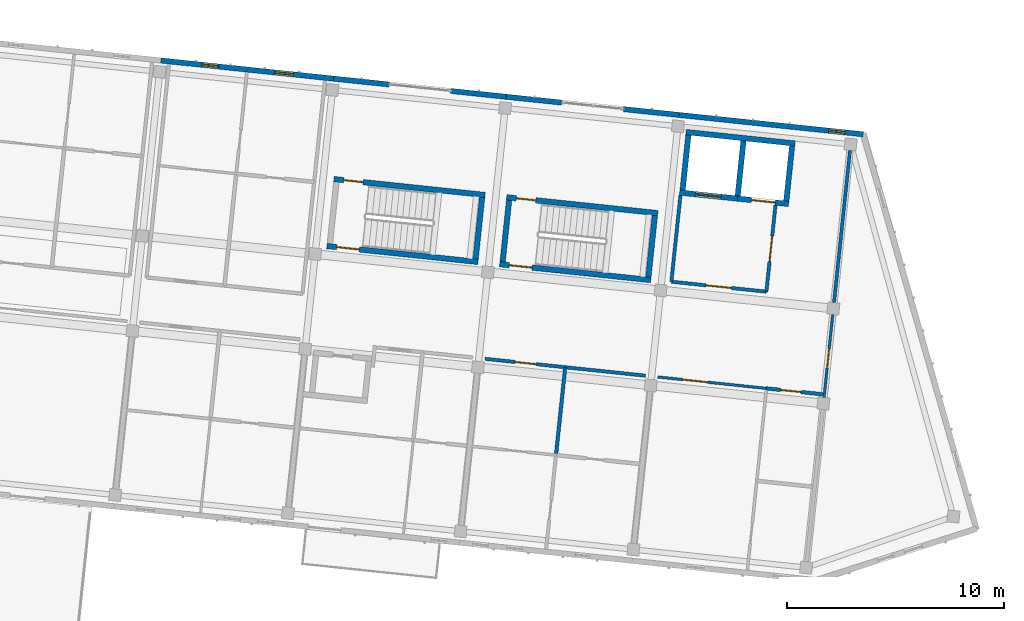
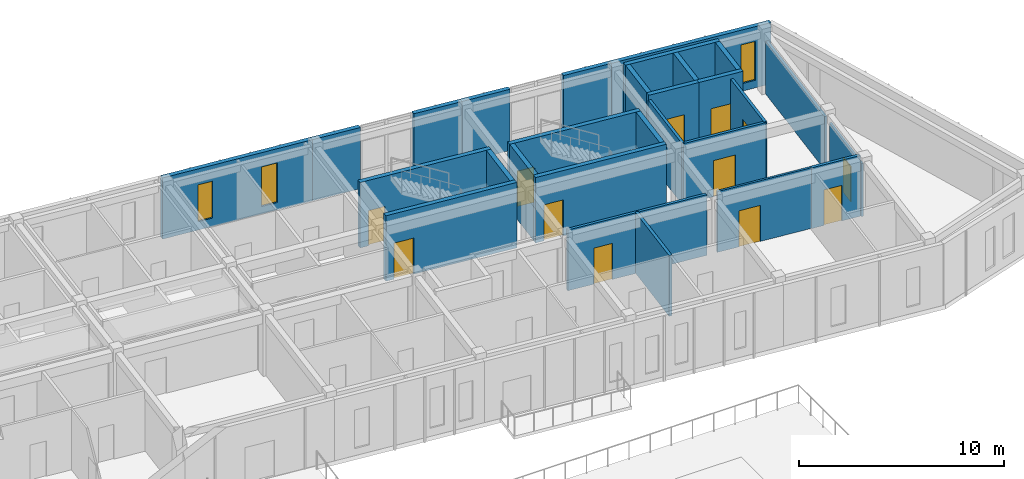
# One storey, part 104 of 150: 28 walls, 12 doors, 3 windows, 15 openings.
"""IFC4 building model written with IfcOpenShell, lengths in metres."""

from ifc_helpers import new_model, si_unit, direction, frame, frame_2d, origin, place, context, subcontext, project, spatial, rectangle, extrude, material, layer, layer_set, type_object, element, fill, save


model = new_model("IFC4")

# Units and contexts
model_context = context("Model", 3, precision=1e-05, world=origin(), true_north=direction((0.0, 1.0)))
body_context = subcontext(model_context, "Body", "Model", "MODEL_VIEW")
ifc_project = project(units=[si_unit("LENGTHUNIT", "METRE"), si_unit("AREAUNIT", "SQUARE_METRE"), si_unit("VOLUMEUNIT", "CUBIC_METRE"), si_unit("PLANEANGLEUNIT", "RADIAN"), si_unit("MASSUNIT", "GRAM", prefix="KILO")], contexts=[model_context])

# Site, building, storey
site_placement = place(None, origin())
site = spatial("IfcSite", under=ifc_project, at=site_placement, CompositionType="ELEMENT")
building_placement = place(site_placement, origin())
building = spatial("IfcBuilding", under=site, at=building_placement, Name="Kestramere Prow Commons", CompositionType="ELEMENT")
storey_placement = place(building_placement, frame((0.0, 0.0, 4.5)))
storey = spatial("IfcBuildingStorey", under=building, at=storey_placement, Name="L01", CompositionType="ELEMENT", Elevation=4.5)

# Wall, openings, windows
ifc_material_1 = material(Name="Fluoropolymer Standing-Seam Zinc-Aluminium Cladding", Category="aluminium")
ifc_layer_1 = layer(ifc_material_1, 0.239990234375)
ifc_layer_set_1 = layer_set([ifc_layer_1], Name="Fluoropolymer Standing-Seam Zinc-Aluminium Cladding")
wall_type_1 = type_object("IfcWallType", Name="EW-SEAM-240", PredefinedType="SOLIDWALL", material=ifc_layer_set_1)
wall_1_placement = place(storey_placement, frame((128.015869140625, 113.142333984375, 0.0), z_axis=(0.0, 0.0, 1.0), x_axis=(0.994522662826, -0.104521161134, 0.0)))
wall_1 = element("IfcWall", 1, at=wall_1_placement, inside=storey, type_object=wall_type_1, Name="Block B L01 North Standing-Seam Wall 3", PredefinedType="SOLIDWALL", context=body_context, shape_type="SweptSolid", body=[
    extrude(rectangle(XDim=8.0, YDim=0.239990234375, at=frame_2d((4.0, 0.0))), origin(), (0.0, 0.0, 1.0), 3.64990234375),
])
opening_1_placement = place(wall_1_placement, frame((1.894775390625, 0.0, 0.5)))
opening_1 = element("IfcOpeningElement", 2, at=opening_1_placement, cuts=wall_1, Name="Opening WN-11", PredefinedType="OPENING", context=body_context, shape_type="SweptSolid", body=[
    extrude(rectangle(XDim=0.780029296875, YDim=2.199951171875, at=frame_2d((0.39013671875, 1.10009765625))), frame((0.0, 0.135009765625, 0.0), z_axis=(0.0, -1.0, 0.0), x_axis=(1.0, 0.0, 0.0)), (0.0, 0.0, 1.0), 0.27001953125),
])
opening_2_placement = place(wall_1_placement, frame((5.27587890625, 0.0, 0.43994140625)))
opening_2 = element("IfcOpeningElement", 3, at=opening_2_placement, cuts=wall_1, Name="Opening WN-15", PredefinedType="OPENING", context=body_context, shape_type="SweptSolid", body=[
    extrude(rectangle(XDim=0.860107421875, YDim=2.360107421875, at=frame_2d((0.43017578125, 1.18017578125))), frame((0.0, 0.135009765625, 0.0), z_axis=(0.0, -1.0, 0.0), x_axis=(1.0, 0.0, 0.0)), (0.0, 0.0, 1.0), 0.27001953125),
])
ifc_material_2 = material(Name="Low-E Laminated Double Glazing", Category="glass")
window_type_1 = type_object("IfcWindowType", Name="WN-NAR-780A", PartitioningType="SINGLE_PANEL", PredefinedType="WINDOW", material=ifc_material_2)
window_1_placement = place(opening_1_placement, origin())
window_1 = element("IfcWindow", 4, at=window_1_placement, inside=storey, type_object=window_type_1, Name="WN-B-L01-N-2-0", OverallHeight=2.199951171875, OverallWidth=0.780029296875, PartitioningType="SINGLE_PANEL", PredefinedType="WINDOW", context=body_context, shape_type="SweptSolid", body=[
    extrude(rectangle(XDim=0.780029296875, YDim=2.199951171875, at=frame_2d((0.39013671875, 1.10009765625))), frame((0.0, 0.030029296875, 0.0), z_axis=(0.0, -1.0, 0.0), x_axis=(1.0, 0.0, 0.0)), (0.0, 0.0, 1.0), 0.06005859375),
])
fill(opening_1, window_1)
window_type_2 = type_object("IfcWindowType", Name="WN-NAR-860A", PartitioningType="DOUBLE_PANEL_VERTICAL", PredefinedType="WINDOW", material=ifc_material_2)
window_2_placement = place(opening_2_placement, origin())
window_2 = element("IfcWindow", 5, at=window_2_placement, inside=storey, type_object=window_type_2, Name="WN-B-L01-N-2-1", OverallHeight=2.360107421875, OverallWidth=0.860107421875, PartitioningType="SINGLE_PANEL", PredefinedType="WINDOW", context=body_context, shape_type="SweptSolid", body=[
    extrude(rectangle(XDim=0.860107421875, YDim=2.360107421875, at=frame_2d((0.43017578125, 1.18017578125))), frame((0.0, 0.030029296875, 0.0), z_axis=(0.0, -1.0, 0.0), x_axis=(1.0, 0.0, 0.0)), (0.0, 0.0, 1.0), 0.06005859375),
])
fill(opening_2, window_2)

# Walls
for number, where, z_axis, x_axis, name in (
    (6, (135.97216796875, 112.30615234375, 0.0), (0.0, 0.0, 1.0), (0.99451635776, -0.104581136677, 0.0), "Block B L01 North Standing-Seam Pier 4L"),
    (7, (141.367431640625, 111.739013671875, 0.0), (0.0, 0.0, 1.0), (0.99451635776, -0.104581136677, 0.0), "Block B L01 North Standing-Seam Pier 4R"),
):
    element("IfcWall", number, at=place(storey_placement, frame(where, z_axis=z_axis, x_axis=x_axis)), inside=storey, type_object=wall_type_1, Name=name, PredefinedType="SOLIDWALL", context=body_context, shape_type="SweptSolid", body=[
        extrude(rectangle(XDim=2.574951171875, YDim=0.239990234375, at=frame_2d((1.28759765625, 0.0))), origin(), (0.0, 0.0, 1.0), 3.64990234375),
    ])
wall_2_placement = place(storey_placement, frame((143.92822265625, 111.4697265625, 0.0), z_axis=(0.0, 0.0, 1.0), x_axis=(0.994527249958, -0.104477505191, 0.0)))
element("IfcWall", 8, at=wall_2_placement, inside=storey, type_object=wall_type_1, Name="Block B L01 North Standing-Seam Pier 5L", PredefinedType="SOLIDWALL", context=body_context, shape_type="SweptSolid", body=[
    extrude(rectangle(XDim=2.5751953125, YDim=0.239990234375, at=frame_2d((1.28759765625, 0.0))), origin(), (0.0, 0.0, 1.0), 3.64990234375),
])
wall_3_placement = place(storey_placement, frame((149.32373046875, 110.90283203125, 0.0), z_axis=(0.0, 0.0, 1.0), x_axis=(0.99451635776, -0.104581136677, 0.0)))
element("IfcWall", 9, at=wall_3_placement, inside=storey, type_object=wall_type_1, Name="Block B L01 North Standing-Seam Pier 5R", PredefinedType="SOLIDWALL", context=body_context, shape_type="SweptSolid", body=[
    extrude(rectangle(XDim=2.574951171875, YDim=0.239990234375, at=frame_2d((1.28759765625, 0.0))), origin(), (0.0, 0.0, 1.0), 3.64990234375),
])

# Wall, opening, window
wall_4_placement = place(storey_placement, frame((151.884521484375, 110.633544921875, 0.0), z_axis=(0.0, 0.0, 1.0), x_axis=(0.994521760736, -0.104529744196, 0.0)))
wall_4 = element("IfcWall", 10, at=wall_4_placement, inside=storey, type_object=wall_type_1, Name="Block B L01 North Standing-Seam Wall 6", PredefinedType="SOLIDWALL", context=body_context, shape_type="SweptSolid", body=[
    extrude(rectangle(XDim=8.52490234375, YDim=0.239990234375, at=frame_2d((4.262451171875, 0.0))), origin(), (0.0, 0.0, 1.0), 3.64990234375),
])
opening_3_placement = place(wall_4_placement, frame((6.925048828125, 0.0, 0.449951171875)))
opening_3 = element("IfcOpeningElement", 11, at=opening_3_placement, cuts=wall_4, Name="Opening WN-19", PredefinedType="OPENING", context=body_context, shape_type="SweptSolid", body=[
    extrude(rectangle(XDim=0.75, YDim=2.320068359375, at=frame_2d((0.375, 1.16015625))), frame((0.0, 0.135009765625, 0.0), z_axis=(0.0, -1.0, 0.0), x_axis=(1.0, 0.0, 0.0)), (0.0, 0.0, 1.0), 0.27001953125),
])
window_type_3 = type_object("IfcWindowType", Name="WN-CLER-1800", PartitioningType="SINGLE_PANEL", PredefinedType="WINDOW", material=ifc_material_2)
window_3_placement = place(opening_3_placement, origin())
window_3 = element("IfcWindow", 12, at=window_3_placement, inside=storey, type_object=window_type_3, Name="Block B L01 Core Lobby Slot Window", OverallHeight=2.320068359375, OverallWidth=0.75, PartitioningType="SINGLE_PANEL", PredefinedType="WINDOW", context=body_context, shape_type="SweptSolid", body=[
    extrude(rectangle(XDim=0.75, YDim=2.320068359375, at=frame_2d((0.375, 1.16015625))), frame((0.0, 0.030029296875, 0.0), z_axis=(0.0, -1.0, 0.0), x_axis=(1.0, 0.0, 0.0)), (0.0, 0.0, 1.0), 0.06005859375),
])
fill(opening_3, window_3)

# Wall
ifc_material_3 = material(Name="Concrete C40/50", Category="concrete")
ifc_layer_2 = layer(ifc_material_3, 0.25)
ifc_layer_set_2 = layer_set([ifc_layer_2], Name="Concrete C40/50")
wall_type_2 = type_object("IfcWallType", Name="W-CORE-250", PredefinedType="SHEAR", material=ifc_layer_set_2)
wall_5_placement = place(storey_placement, frame((152.203857421875, 109.845947265625, 0.0), z_axis=(0.0, 0.0, 1.0), x_axis=(0.994522922189, -0.104518693261, 0.0)))
element("IfcWall", 13, at=wall_5_placement, inside=storey, type_object=wall_type_2, Name="Block B L01 Lift Core Back Wall", PredefinedType="SHEAR", context=body_context, shape_type="SweptSolid", body=[
    extrude(rectangle(XDim=5.050048828125, YDim=0.25, at=frame_2d((2.52490234375, 0.0))), origin(), (0.0, 0.0, 1.0), 3.89990234375),
])

# Wall, opening, door
wall_6_placement = place(storey_placement, frame((151.9111328125, 107.061279296875, 0.0), z_axis=(0.0, 0.0, 1.0), x_axis=(0.994524939068, -0.104499500343, 0.0)))
wall_6 = element("IfcWall", 14, at=wall_6_placement, inside=storey, type_object=wall_type_2, Name="Block B L01 Fire Lift Shaft Front Wall", PredefinedType="SHEAR", context=body_context, shape_type="SweptSolid", body=[
    extrude(rectangle(XDim=2.675048828125, YDim=0.25, at=frame_2d((1.33740234375, 0.0))), origin(), (0.0, 0.0, 1.0), 3.89990234375),
])
opening_4_placement = place(wall_6_placement, frame((0.719970703125, 0.0, 0.0)))
opening_4 = element("IfcOpeningElement", 15, at=opening_4_placement, cuts=wall_6, Name="Opening LD-02", PredefinedType="OPENING", context=body_context, shape_type="SweptSolid", body=[
    extrude(rectangle(XDim=1.199951171875, YDim=2.199951171875, at=frame_2d((0.60009765625, 1.10009765625))), frame((0.0, 0.139892578125, 0.0), z_axis=(0.0, -1.0, 0.0), x_axis=(1.0, 0.0, 0.0)), (0.0, 0.0, 1.0), 0.280029296875),
])
ifc_material_4 = material(Name="Brushed Stainless Steel 316", Category="steel")
door_type_1 = type_object("IfcDoorType", Name="LD-02", OperationType="DOUBLE_DOOR_SLIDING", PredefinedType="DOOR", material=ifc_material_4)
door_1_placement = place(opening_4_placement, origin())
door_1 = element("IfcDoor", 16, at=door_1_placement, inside=storey, type_object=door_type_1, Name="FL-B1 L01 Lift Landing Door", OperationType="DOUBLE_DOOR_SLIDING", OverallHeight=2.199951171875, OverallWidth=1.199951171875, PredefinedType="DOOR", context=body_context, shape_type="SweptSolid", body=[
    extrude(rectangle(XDim=1.199951171875, YDim=2.199951171875, at=frame_2d((0.60009765625, 1.10009765625))), frame((0.0, 0.02490234375, 0.0), z_axis=(0.0, -1.0, 0.0), x_axis=(1.0, 0.0, 0.0)), (0.0, 0.0, 1.0), 0.050048828125),
])
fill(opening_4, door_1)

wall_7_placement = place(storey_placement, frame((154.571533203125, 106.78173828125, 0.0), z_axis=(0.0, 0.0, 1.0), x_axis=(0.994520650134, -0.1045403102, 0.0)))
wall_7 = element("IfcWall", 17, at=wall_7_placement, inside=storey, type_object=wall_type_2, Name="Block B L01 Passenger Lift Shaft Front Wall", PredefinedType="SHEAR", context=body_context, shape_type="SweptSolid", body=[
    extrude(rectangle(XDim=2.375, YDim=0.25, at=frame_2d((1.1875, 0.0))), origin(), (0.0, 0.0, 1.0), 3.89990234375),
])
opening_5_placement = place(wall_7_placement, frame((0.64990234375, 0.0, 0.0)))
opening_5 = element("IfcOpeningElement", 18, at=opening_5_placement, cuts=wall_7, Name="Opening LD-01", PredefinedType="OPENING", context=body_context, shape_type="SweptSolid", body=[
    extrude(rectangle(XDim=1.10009765625, YDim=2.14990234375, at=frame_2d((0.550048828125, 1.074951171875))), frame((0.0, 0.139892578125, 0.0), z_axis=(0.0, -1.0, 0.0), x_axis=(1.0, 0.0, 0.0)), (0.0, 0.0, 1.0), 0.280029296875),
])
ifc_material_5 = material(Name="Brushed Stainless Steel 304", Category="steel")
door_type_2 = type_object("IfcDoorType", Name="LD-01", OperationType="DOUBLE_DOOR_SLIDING", PredefinedType="DOOR", material=ifc_material_5)
door_2_placement = place(opening_5_placement, origin())
door_2 = element("IfcDoor", 19, at=door_2_placement, inside=storey, type_object=door_type_2, Name="PL-B2 L01 Lift Landing Door", OperationType="DOUBLE_DOOR_SLIDING", OverallHeight=2.14990234375, OverallWidth=1.10009765625, PredefinedType="DOOR", context=body_context, shape_type="SweptSolid", body=[
    extrude(rectangle(XDim=1.10009765625, YDim=2.14990234375, at=frame_2d((0.550048828125, 1.074951171875))), frame((0.0, 0.02490234375, 0.0), z_axis=(0.0, -1.0, 0.0), x_axis=(1.0, 0.0, 0.0)), (0.0, 0.0, 1.0), 0.050048828125),
])
fill(opening_5, door_2)

# Walls
for number, where, z_axis, x_axis, name in (
    (20, (152.048583984375, 107.172607421875, 0.0), (0.0, 0.0, 1.0), (0.104555197931, 0.994519085079, 0.0), "Block B L01 Lift Core Side Wall L"),
    (21, (154.584716796875, 106.906005859375, 0.0), (0.0, 0.0, 1.0), (0.104555197931, 0.994519085079, 0.0), "Block B L01 Lift Core Side Wall M"),
):
    element("IfcWall", number, at=place(storey_placement, frame(where, z_axis=z_axis, x_axis=x_axis)), inside=storey, type_object=wall_type_2, Name=name, PredefinedType="SHEAR", context=body_context, shape_type="SweptSolid", body=[
        extrude(rectangle(XDim=2.5498046875, YDim=0.25, at=frame_2d((1.27490234375, 0.0))), origin(), (0.0, 0.0, 1.0), 3.89990234375),
    ])
wall_8_placement = place(storey_placement, frame((156.822265625, 106.670654296875, 0.0), z_axis=(0.0, 0.0, 1.0), x_axis=(0.104545242946, 0.99452013161, 0.0)))
element("IfcWall", 22, at=wall_8_placement, inside=storey, type_object=wall_type_2, Name="Block B L01 Lift Core Side Wall R", PredefinedType="SHEAR", context=body_context, shape_type="SweptSolid", body=[
    extrude(rectangle(XDim=2.550048828125, YDim=0.25, at=frame_2d((1.27490234375, 0.0))), origin(), (0.0, 0.0, 1.0), 3.89990234375),
])

# Wall, opening, door
wall_9_placement = place(storey_placement, frame((135.988525390625, 107.678955078125, 0.0), z_axis=(0.0, 0.0, 1.0), x_axis=(0.994522066748, -0.104526832686, 0.0)))
wall_9 = element("IfcWall", 23, at=wall_9_placement, inside=storey, type_object=wall_type_2, Name="ST-B1 L01 North Shaft Wall", PredefinedType="SHEAR", context=body_context, shape_type="SweptSolid", body=[
    extrude(rectangle(XDim=7.0, YDim=0.25, at=frame_2d((3.5, 0.0))), origin(), (0.0, 0.0, 1.0), 3.89990234375),
])
opening_6_placement = place(wall_9_placement, frame((0.449951171875, 0.0, 0.0)))
opening_6 = element("IfcOpeningElement", 24, at=opening_6_placement, cuts=wall_9, Name="Opening ID-08", PredefinedType="OPENING", context=body_context, shape_type="SweptSolid", body=[
    extrude(rectangle(XDim=0.89990234375, YDim=2.10009765625, at=frame_2d((0.449951171875, 1.050048828125))), frame((0.0, 0.139892578125, 0.0), z_axis=(0.0, -1.0, 0.0), x_axis=(1.0, 0.0, 0.0)), (0.0, 0.0, 1.0), 0.280029296875),
])
ifc_material_6 = material(Name="Engineered Timber Flush Door", Category="wood")
door_type_3 = type_object("IfcDoorType", Name="D-RM-01", OperationType="NOTDEFINED", PredefinedType="DOOR", material=ifc_material_6)
door_3_placement = place(opening_6_placement, origin())
door_3 = element("IfcDoor", 25, at=door_3_placement, inside=storey, type_object=door_type_3, Name="ST-B1 L01 North Room Door", OperationType="SINGLE_SWING_RIGHT", OverallHeight=2.10009765625, OverallWidth=0.89990234375, PredefinedType="DOOR", context=body_context, shape_type="SweptSolid", body=[
    extrude(rectangle(XDim=0.89990234375, YDim=2.10009765625, at=frame_2d((0.449951171875, 1.050048828125))), frame((0.0, 0.02490234375, 0.0), z_axis=(0.0, -1.0, 0.0), x_axis=(1.0, 0.0, 0.0)), (0.0, 0.0, 1.0), 0.050048828125),
])
fill(opening_6, door_3)

wall_10_placement = place(storey_placement, frame((135.66455078125, 104.595947265625, 0.0), z_axis=(0.0, 0.0, 1.0), x_axis=(0.994522066748, -0.104526832686, 0.0)))
wall_10 = element("IfcWall", 26, at=wall_10_placement, inside=storey, type_object=wall_type_2, Name="ST-B1 L01 Corridor Shaft Wall", PredefinedType="SHEAR", context=body_context, shape_type="SweptSolid", body=[
    extrude(rectangle(XDim=7.0, YDim=0.25, at=frame_2d((3.5, 0.0))), origin(), (0.0, 0.0, 1.0), 3.89990234375),
])
opening_7_placement = place(wall_10_placement, frame((0.449951171875, 0.0, 0.0)))
opening_7 = element("IfcOpeningElement", 27, at=opening_7_placement, cuts=wall_10, Name="Opening ID-01", PredefinedType="OPENING", context=body_context, shape_type="SweptSolid", body=[
    extrude(rectangle(XDim=1.050048828125, YDim=2.14990234375, at=frame_2d((0.52490234375, 1.074951171875))), frame((0.0, 0.139892578125, 0.0), z_axis=(0.0, -1.0, 0.0), x_axis=(1.0, 0.0, 0.0)), (0.0, 0.0, 1.0), 0.280029296875),
])
ifc_material_7 = material(Name="Fire-Rated Timber and Steel Frame", Category="steel")
door_type_4 = type_object("IfcDoorType", Name="FD-ST-01", OperationType="NOTDEFINED", PredefinedType="DOOR", material=ifc_material_7)
door_4_placement = place(opening_7_placement, origin())
door_4 = element("IfcDoor", 28, at=door_4_placement, inside=storey, type_object=door_type_4, Name="ST-B1 L01 Protected Stair Door", OperationType="SINGLE_SWING_RIGHT", OverallHeight=2.14990234375, OverallWidth=1.050048828125, PredefinedType="DOOR", context=body_context, shape_type="SweptSolid", body=[
    extrude(rectangle(XDim=1.050048828125, YDim=2.14990234375, at=frame_2d((0.52490234375, 1.074951171875))), frame((0.0, 0.02490234375, 0.0), z_axis=(0.0, -1.0, 0.0), x_axis=(1.0, 0.0, 0.0)), (0.0, 0.0, 1.0), 0.050048828125),
])
fill(opening_7, door_4)

# Wall
wall_11_placement = place(storey_placement, frame((142.514892578125, 104.001708984375, 0.0), z_axis=(0.0, 0.0, 1.0), x_axis=(0.104515324063, 0.994523276267, 0.0)))
element("IfcWall", 29, at=wall_11_placement, inside=storey, type_object=wall_type_2, Name="ST-B1 L01 Far Shaft Wall", PredefinedType="SHEAR", context=body_context, shape_type="SweptSolid", body=[
    extrude(rectangle(XDim=2.849853515625, YDim=0.25, at=frame_2d((1.4248046875, 0.0))), origin(), (0.0, 0.0, 1.0), 3.89990234375),
])

# Wall, opening, door
wall_12_placement = place(storey_placement, frame((143.94482421875, 106.8427734375, 0.0), z_axis=(0.0, 0.0, 1.0), x_axis=(0.994522066748, -0.104526832686, 0.0)))
wall_12 = element("IfcWall", 30, at=wall_12_placement, inside=storey, type_object=wall_type_2, Name="ST-B2 L01 North Shaft Wall", PredefinedType="SHEAR", context=body_context, shape_type="SweptSolid", body=[
    extrude(rectangle(XDim=7.0, YDim=0.25, at=frame_2d((3.5, 0.0))), origin(), (0.0, 0.0, 1.0), 3.89990234375),
])
opening_8_placement = place(wall_12_placement, frame((0.449951171875, 0.0, 0.0)))
opening_8 = element("IfcOpeningElement", 31, at=opening_8_placement, cuts=wall_12, Name="Opening ID-08", PredefinedType="OPENING", context=body_context, shape_type="SweptSolid", body=[
    extrude(rectangle(XDim=0.89990234375, YDim=2.10009765625, at=frame_2d((0.449951171875, 1.050048828125))), frame((0.0, 0.139892578125, 0.0), z_axis=(0.0, -1.0, 0.0), x_axis=(1.0, 0.0, 0.0)), (0.0, 0.0, 1.0), 0.280029296875),
])
door_5_placement = place(opening_8_placement, origin())
door_5 = element("IfcDoor", 32, at=door_5_placement, inside=storey, type_object=door_type_3, Name="ST-B2 L01 North Room Door", OperationType="SINGLE_SWING_RIGHT", OverallHeight=2.10009765625, OverallWidth=0.89990234375, PredefinedType="DOOR", context=body_context, shape_type="SweptSolid", body=[
    extrude(rectangle(XDim=0.89990234375, YDim=2.10009765625, at=frame_2d((0.449951171875, 1.050048828125))), frame((0.0, 0.02490234375, 0.0), z_axis=(0.0, -1.0, 0.0), x_axis=(1.0, 0.0, 0.0)), (0.0, 0.0, 1.0), 0.050048828125),
])
fill(opening_8, door_5)

wall_13_placement = place(storey_placement, frame((143.62060546875, 103.759765625, 0.0), z_axis=(0.0, 0.0, 1.0), x_axis=(0.994522066748, -0.104526832686, 0.0)))
wall_13 = element("IfcWall", 33, at=wall_13_placement, inside=storey, type_object=wall_type_2, Name="ST-B2 L01 Corridor Shaft Wall", PredefinedType="SHEAR", context=body_context, shape_type="SweptSolid", body=[
    extrude(rectangle(XDim=7.0, YDim=0.25, at=frame_2d((3.5, 0.0))), origin(), (0.0, 0.0, 1.0), 3.89990234375),
])
opening_9_placement = place(wall_13_placement, frame((0.449951171875, 0.0, 0.0)))
opening_9 = element("IfcOpeningElement", 34, at=opening_9_placement, cuts=wall_13, Name="Opening ID-01", PredefinedType="OPENING", context=body_context, shape_type="SweptSolid", body=[
    extrude(rectangle(XDim=1.050048828125, YDim=2.14990234375, at=frame_2d((0.52490234375, 1.074951171875))), frame((0.0, 0.139892578125, 0.0), z_axis=(0.0, -1.0, 0.0), x_axis=(1.0, 0.0, 0.0)), (0.0, 0.0, 1.0), 0.280029296875),
])
door_6_placement = place(opening_9_placement, origin())
door_6 = element("IfcDoor", 35, at=door_6_placement, inside=storey, type_object=door_type_4, Name="ST-B2 L01 Protected Stair Door", OperationType="SINGLE_SWING_RIGHT", OverallHeight=2.14990234375, OverallWidth=1.050048828125, PredefinedType="DOOR", context=body_context, shape_type="SweptSolid", body=[
    extrude(rectangle(XDim=1.050048828125, YDim=2.14990234375, at=frame_2d((0.52490234375, 1.074951171875))), frame((0.0, 0.02490234375, 0.0), z_axis=(0.0, -1.0, 0.0), x_axis=(1.0, 0.0, 0.0)), (0.0, 0.0, 1.0), 0.050048828125),
])
fill(opening_9, door_6)

# Walls
for number, where, z_axis, x_axis, name in (
    (36, (143.758056640625, 103.87109375, 0.0), (0.0, 0.0, 1.0), (0.104515324063, 0.994523276267, 0.0), "ST-B2 L01 Near Shaft Wall"),
    (37, (150.47119140625, 103.16552734375, 0.0), (0.0, 0.0, 1.0), (0.104515324063, 0.994523276267, 0.0), "ST-B2 L01 Far Shaft Wall"),
):
    element("IfcWall", number, at=place(storey_placement, frame(where, z_axis=z_axis, x_axis=x_axis)), inside=storey, type_object=wall_type_2, Name=name, PredefinedType="SHEAR", context=body_context, shape_type="SweptSolid", body=[
        extrude(rectangle(XDim=2.849853515625, YDim=0.25, at=frame_2d((1.4248046875, 0.0))), origin(), (0.0, 0.0, 1.0), 3.89990234375),
    ])

# Wall, opening, door
ifc_material_8 = material(Name="Fire-Rated Calcium Silicate Wall")
ifc_layer_3 = layer(ifc_material_8, 0.155029296875)
ifc_layer_set_3 = layer_set([ifc_layer_3], Name="Fire-Rated Calcium Silicate Wall")
wall_type_3 = type_object("IfcWallType", Name="W-FIRE-150", PredefinedType="PARTITIONING", material=ifc_layer_set_3)
wall_14_placement = place(storey_placement, frame((151.52978515625, 102.95361328125, 0.0), z_axis=(0.0, 0.0, 1.0), x_axis=(0.994521251134, -0.104534592565, 0.0)))
wall_14 = element("IfcWall", 38, at=wall_14_placement, inside=storey, type_object=wall_type_3, Name="Interior Partition PW-B-L01-FFL-S", PredefinedType="PARTITIONING", context=body_context, shape_type="SweptSolid", body=[
    extrude(rectangle(XDim=4.400146484375, YDim=0.155029296875, at=frame_2d((2.2001953125, 0.0))), origin(), (0.0, 0.0, 1.0), 3.6201171875),
])
opening_10_placement = place(wall_14_placement, frame((1.60009765625, 0.0, 0.0)))
opening_10 = element("IfcOpeningElement", 39, at=opening_10_placement, cuts=wall_14, Name="Opening ID-03", PredefinedType="OPENING", context=body_context, shape_type="SweptSolid", body=[
    extrude(rectangle(XDim=1.179931640625, YDim=2.14990234375, at=frame_2d((0.58984375, 1.074951171875))), frame((0.0, 0.092529296875, 0.0), z_axis=(0.0, -1.0, 0.0), x_axis=(1.0, 0.0, 0.0)), (0.0, 0.0, 1.0), 0.18505859375),
])
ifc_material_9 = material(Name="Fire-Rated Glazed Smoke-Stop Door")
door_type_5 = type_object("IfcDoorType", Name="FD-LB-01", OperationType="NOTDEFINED", PredefinedType="DOOR", material=ifc_material_9)
door_7_placement = place(opening_10_placement, origin())
door_7 = element("IfcDoor", 40, at=door_7_placement, inside=storey, type_object=door_type_5, Name="Interior Door DR-B-L01-FFL", OperationType="SINGLE_SWING_RIGHT", OverallHeight=2.14990234375, OverallWidth=1.179931640625, PredefinedType="DOOR", context=body_context, shape_type="SweptSolid", body=[
    extrude(rectangle(XDim=1.179931640625, YDim=2.14990234375, at=frame_2d((0.58984375, 1.074951171875))), frame((0.0, 0.02490234375, 0.0), z_axis=(0.0, -1.0, 0.0), x_axis=(1.0, 0.0, 0.0)), (0.0, 0.0, 1.0), 0.050048828125),
])
fill(opening_10, door_7)

# Wall
wall_15_placement = place(storey_placement, frame((151.52978515625, 102.95361328125, 0.0), z_axis=(0.0, 0.0, 1.0), x_axis=(0.104554517933, 0.994519156568, 0.0)))
element("IfcWall", 41, at=wall_15_placement, inside=storey, type_object=wall_type_3, Name="Interior Partition PW-B-L01-FFL-W", PredefinedType="PARTITIONING", context=body_context, shape_type="SweptSolid", body=[
    extrude(rectangle(XDim=4.0, YDim=0.155029296875, at=frame_2d((2.0, 0.0))), origin(), (0.0, 0.0, 1.0), 3.6201171875),
])

# Wall, opening, door
wall_16_placement = place(storey_placement, frame((155.90576171875, 102.49365234375, 0.0), z_axis=(0.0, 0.0, 1.0), x_axis=(0.104494148666, 0.99452550138, 0.0)))
wall_16 = element("IfcWall", 42, at=wall_16_placement, inside=storey, type_object=wall_type_3, Name="Interior Partition PW-B-L01-FFL-E", PredefinedType="PARTITIONING", context=body_context, shape_type="SweptSolid", body=[
    extrude(rectangle(XDim=4.0, YDim=0.155029296875, at=frame_2d((2.0, 0.0))), origin(), (0.0, 0.0, 1.0), 3.6201171875),
])
opening_11_placement = place(wall_16_placement, frame((1.39990234375, 0.0, 0.0)))
opening_11 = element("IfcOpeningElement", 43, at=opening_11_placement, cuts=wall_16, Name="Opening ID-03", PredefinedType="OPENING", context=body_context, shape_type="SweptSolid", body=[
    extrude(rectangle(XDim=1.179931640625, YDim=2.14990234375, at=frame_2d((0.58984375, 1.074951171875))), frame((0.0, 0.092529296875, 0.0), z_axis=(0.0, -1.0, 0.0), x_axis=(1.0, 0.0, 0.0)), (0.0, 0.0, 1.0), 0.18505859375),
])
door_8_placement = place(opening_11_placement, origin())
door_8 = element("IfcDoor", 44, at=door_8_placement, inside=storey, type_object=door_type_5, Name="Interior Door DR-B-L01-FFL-PL", OperationType="SINGLE_SWING_LEFT", OverallHeight=2.14990234375, OverallWidth=1.179931640625, PredefinedType="DOOR", context=body_context, shape_type="SweptSolid", body=[
    extrude(rectangle(XDim=1.179931640625, YDim=2.14990234375, at=frame_2d((0.58984375, 1.074951171875))), frame((0.0, 0.02490234375, 0.0), z_axis=(0.0, -1.0, 0.0), x_axis=(1.0, 0.0, 0.0)), (0.0, 0.0, 1.0), 0.050048828125),
])
fill(opening_11, door_8)

wall_17_placement = place(storey_placement, frame((142.946533203125, 99.4013671875, 0.0), z_axis=(0.0, 0.0, 1.0), x_axis=(0.994522184982, -0.104525707739, 0.0)))
wall_17 = element("IfcWall", 45, at=wall_17_placement, inside=storey, type_object=wall_type_3, Name="Interior Partition PW-B-L01-CS-4", PredefinedType="PARTITIONING", context=body_context, shape_type="SweptSolid", body=[
    extrude(rectangle(XDim=7.429931640625, YDim=0.155029296875, at=frame_2d((3.71484375, 0.0))), origin(), (0.0, 0.0, 1.0), 3.6201171875),
])
opening_12_placement = place(wall_17_placement, frame((1.405029296875, 0.0, 0.0)))
opening_12 = element("IfcOpeningElement", 46, at=opening_12_placement, cuts=wall_17, Name="Opening ID-04", PredefinedType="OPENING", context=body_context, shape_type="SweptSolid", body=[
    extrude(rectangle(XDim=0.97998046875, YDim=2.14990234375, at=frame_2d((0.489990234375, 1.074951171875))), frame((0.0, 0.092529296875, 0.0), z_axis=(0.0, -1.0, 0.0), x_axis=(1.0, 0.0, 0.0)), (0.0, 0.0, 1.0), 0.18505859375),
])
ifc_material_10 = material(Name="Hardwood Fire-Rated Flat Entrance Door", Category="wood")
door_type_6 = type_object("IfcDoorType", Name="FD-ENT-01", OperationType="NOTDEFINED", PredefinedType="DOOR", material=ifc_material_10)
door_9_placement = place(opening_12_placement, origin())
door_9 = element("IfcDoor", 47, at=door_9_placement, inside=storey, type_object=door_type_6, Name="Interior Door DR-B-L01-ENT-S4", OperationType="SINGLE_SWING_RIGHT", OverallHeight=2.14990234375, OverallWidth=0.97998046875, PredefinedType="DOOR", context=body_context, shape_type="SweptSolid", body=[
    extrude(rectangle(XDim=0.97998046875, YDim=2.14990234375, at=frame_2d((0.489990234375, 1.074951171875))), frame((0.0, 0.02490234375, 0.0), z_axis=(0.0, -1.0, 0.0), x_axis=(1.0, 0.0, 0.0)), (0.0, 0.0, 1.0), 0.050048828125),
])
fill(opening_12, door_9)

ifc_material_11 = material(Name="Lightweight Blockwork and Plaster", Category="masonry")
ifc_layer_4 = layer(ifc_material_11, 0.1201171875)
ifc_layer_set_4 = layer_set([ifc_layer_4], Name="Lightweight Blockwork and Plaster")
wall_type_4 = type_object("IfcWallType", Name="W-PART-120", PredefinedType="PARTITIONING", material=ifc_layer_set_4)
wall_18_placement = place(storey_placement, frame((158.561279296875, 97.62451171875, 0.0), z_axis=(0.0, 0.0, 1.0), x_axis=(0.104545412893, 0.994520113745, 0.0)))
wall_18 = element("IfcWall", 48, at=wall_18_placement, inside=storey, type_object=wall_type_4, Name="Interior Partition PW-B-L01-PROW-ACC", PredefinedType="PARTITIONING", context=body_context, shape_type="SweptSolid", body=[
    extrude(rectangle(XDim=3.829833984375, YDim=0.1201171875, at=frame_2d((1.9150390625, 0.0))), origin(), (0.0, 0.0, 1.0), 3.14990234375),
])
opening_13_placement = place(wall_18_placement, frame((1.35009765625, 0.0, 0.0)))
opening_13 = element("IfcOpeningElement", 49, at=opening_13_placement, cuts=wall_18, Name="Opening ID-08", PredefinedType="OPENING", context=body_context, shape_type="SweptSolid", body=[
    extrude(rectangle(XDim=0.89990234375, YDim=2.10009765625, at=frame_2d((0.449951171875, 1.050048828125))), frame((0.0, 0.074951171875, 0.0), z_axis=(0.0, -1.0, 0.0), x_axis=(1.0, 0.0, 0.0)), (0.0, 0.0, 1.0), 0.150146484375),
])
door_10_placement = place(opening_13_placement, origin())
door_10 = element("IfcDoor", 50, at=door_10_placement, inside=storey, type_object=door_type_3, Name="Interior Door DR-B-L01-PROW", OperationType="SINGLE_SWING_LEFT", OverallHeight=2.10009765625, OverallWidth=0.89990234375, PredefinedType="DOOR", context=body_context, shape_type="SweptSolid", body=[
    extrude(rectangle(XDim=0.89990234375, YDim=2.10009765625, at=frame_2d((0.449951171875, 1.050048828125))), frame((0.0, 0.02490234375, 0.0), z_axis=(0.0, -1.0, 0.0), x_axis=(1.0, 0.0, 0.0)), (0.0, 0.0, 1.0), 0.050048828125),
])
fill(opening_13, door_10)

wall_19_placement = place(storey_placement, frame((150.902587890625, 98.565185546875, 0.0), z_axis=(0.0, 0.0, 1.0), x_axis=(0.994520851776, -0.104538391908, 0.0)))
wall_19 = element("IfcWall", 51, at=wall_19_placement, inside=storey, type_object=wall_type_4, Name="Interior Partition PW-B-L01-CS-5A", PredefinedType="PARTITIONING", context=body_context, shape_type="SweptSolid", body=[
    extrude(rectangle(XDim=5.03515625, YDim=0.1201171875, at=frame_2d((2.517578125, 0.0))), origin(), (0.0, 0.0, 1.0), 3.6201171875),
])
opening_14_placement = place(wall_19_placement, frame((1.14990234375, 0.0, 0.0)))
opening_14 = element("IfcOpeningElement", 52, at=opening_14_placement, cuts=wall_19, Name="Opening ID-09", PredefinedType="OPENING", context=body_context, shape_type="SweptSolid", body=[
    extrude(rectangle(XDim=1.14990234375, YDim=2.14990234375, at=frame_2d((0.574951171875, 1.074951171875))), frame((0.0, 0.074951171875, 0.0), z_axis=(0.0, -1.0, 0.0), x_axis=(1.0, 0.0, 0.0)), (0.0, 0.0, 1.0), 0.150146484375),
])
ifc_material_12 = material(Name="Engineered Timber Acoustic Door", Category="wood")
door_type_7 = type_object("IfcDoorType", Name="D-RM-02", OperationType="NOTDEFINED", PredefinedType="DOOR", material=ifc_material_12)
door_11_placement = place(opening_14_placement, origin())
door_11 = element("IfcDoor", 53, at=door_11_placement, inside=storey, type_object=door_type_7, Name="Interior Door DR-B-L01-SKY-5", OperationType="SINGLE_SWING_LEFT", OverallHeight=2.14990234375, OverallWidth=1.14990234375, PredefinedType="DOOR", context=body_context, shape_type="SweptSolid", body=[
    extrude(rectangle(XDim=1.14990234375, YDim=2.14990234375, at=frame_2d((0.574951171875, 1.074951171875))), frame((0.0, 0.02490234375, 0.0), z_axis=(0.0, -1.0, 0.0), x_axis=(1.0, 0.0, 0.0)), (0.0, 0.0, 1.0), 0.050048828125),
])
fill(opening_14, door_11)

# Walls
ifc_material_13 = material(Name="Masonry Compartment Wall", Category="masonry")
ifc_layer_5 = layer(ifc_material_13, 0.14990234375)
ifc_layer_set_5 = layer_set([ifc_layer_5], Name="Masonry Compartment Wall")
wall_type_5 = type_object("IfcWallType", Name="W-PART-150", PredefinedType="PARTITIONING", material=ifc_layer_set_5)
wall_20_placement = place(storey_placement, frame((159.021240234375, 102.000244140625, 0.0), z_axis=(0.0, 0.0, 1.0), x_axis=(0.10452931889, 0.994521805438, 0.0)))
element("IfcWall", 54, at=wall_20_placement, inside=storey, type_object=wall_type_5, Name="Interior Partition PW-B-L01-PRW-N", PredefinedType="PARTITIONING", context=body_context, shape_type="SweptSolid", body=[
    extrude(rectangle(XDim=7.0302734375, YDim=0.14990234375, at=frame_2d((3.51513671875, 0.0))), origin(), (0.0, 0.0, 1.0), 3.14990234375),
])
ifc_material_14 = material(Name="Waterproof Sanitary Masonry Wall", Category="masonry")
ifc_layer_6 = layer(ifc_material_14, 0.1650390625)
ifc_layer_set_6 = layer_set([ifc_layer_6], Name="Waterproof Sanitary Masonry Wall")
wall_type_6 = type_object("IfcWallType", Name="W-PLUMB-150", PredefinedType="PLUMBINGWALL", material=ifc_layer_set_6)
wall_21_placement = place(storey_placement, frame((146.215576171875, 94.96533203125, 0.0), z_axis=(0.0, 0.0, 1.0), x_axis=(0.104556757316, 0.994518921137, 0.0)))
element("IfcWall", 55, at=wall_21_placement, inside=storey, type_object=wall_type_6, Name="Interior Partition PW-B-L01-KB-S4", PredefinedType="PLUMBINGWALL", context=body_context, shape_type="SweptSolid", body=[
    extrude(rectangle(XDim=4.06982421875, YDim=0.1650390625, at=frame_2d((2.034912109375, 0.0))), origin(), (0.0, 0.0, 1.0), 3.6201171875),
])

# Wall, opening, door
wall_22_placement = place(storey_placement, frame((155.91015625, 98.038818359375, 0.0), z_axis=(0.0, 0.0, 1.0), x_axis=(0.994526447543, -0.104485143144, 0.0)))
wall_22 = element("IfcWall", 56, at=wall_22_placement, inside=storey, type_object=wall_type_6, Name="Interior Partition PW-B-L01-CS-5B", PredefinedType="PLUMBINGWALL", context=body_context, shape_type="SweptSolid", body=[
    extrude(rectangle(XDim=2.610107421875, YDim=0.1650390625, at=frame_2d((1.30517578125, 0.0))), origin(), (0.0, 0.0, 1.0), 3.6201171875),
])
opening_15_placement = place(wall_22_placement, frame((0.64990234375, 0.0, 0.0)))
opening_15 = element("IfcOpeningElement", 57, at=opening_15_placement, cuts=wall_22, Name="Opening ID-13", PredefinedType="OPENING", context=body_context, shape_type="SweptSolid", body=[
    extrude(rectangle(XDim=0.9599609375, YDim=2.1201171875, at=frame_2d((0.47998046875, 1.06005859375))), frame((0.0, 0.097412109375, 0.0), z_axis=(0.0, -1.0, 0.0), x_axis=(1.0, 0.0, 0.0)), (0.0, 0.0, 1.0), 0.195068359375),
])
ifc_material_15 = material(Name="Accessible Wide-Leaf Timber Door", Category="wood")
door_type_8 = type_object("IfcDoorType", Name="D-ACC-01", OperationType="NOTDEFINED", PredefinedType="DOOR", material=ifc_material_15)
door_12_placement = place(opening_15_placement, origin())
door_12 = element("IfcDoor", 58, at=door_12_placement, inside=storey, type_object=door_type_8, Name="Interior Door DR-B-L01-SKWC-5", OperationType="SINGLE_SWING_RIGHT", OverallHeight=2.1201171875, OverallWidth=0.9599609375, PredefinedType="DOOR", context=body_context, shape_type="SweptSolid", body=[
    extrude(rectangle(XDim=0.9599609375, YDim=2.1201171875, at=frame_2d((0.47998046875, 1.06005859375))), frame((0.0, 0.02490234375, 0.0), z_axis=(0.0, -1.0, 0.0), x_axis=(1.0, 0.0, 0.0)), (0.0, 0.0, 1.0), 0.050048828125),
])
fill(opening_15, door_12)

save(model, "model.ifc")
